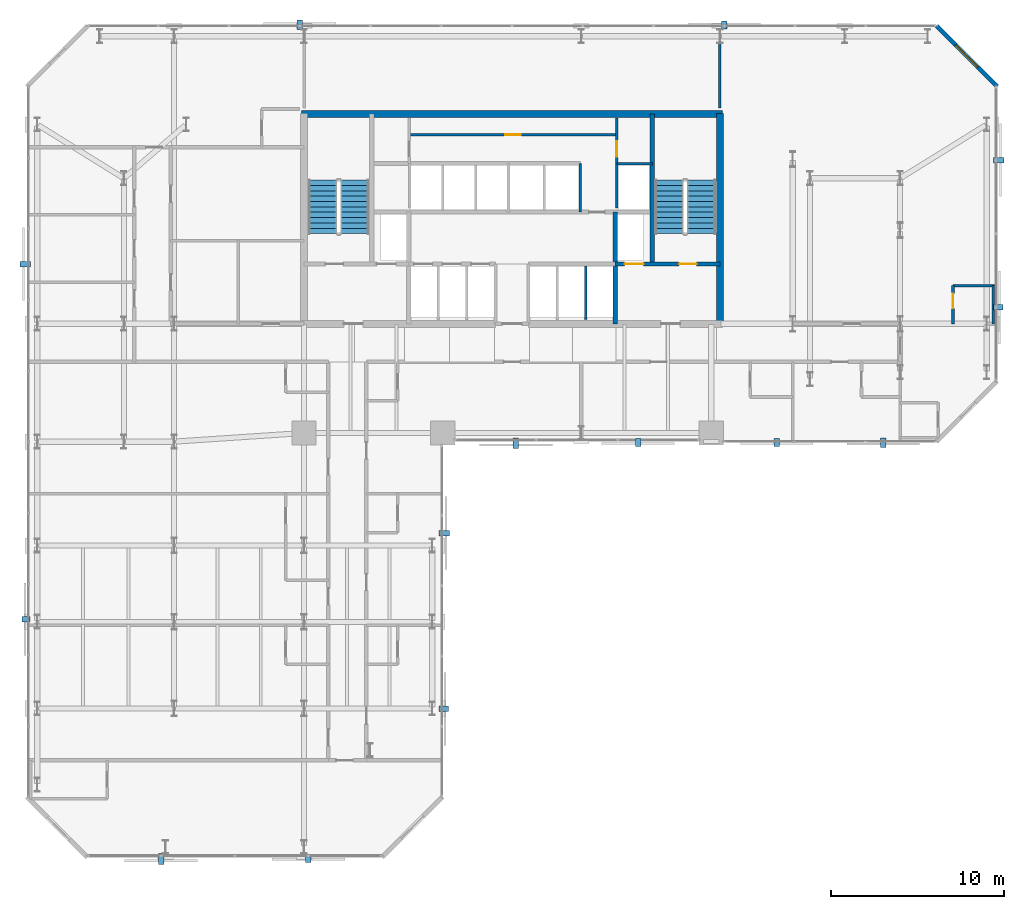
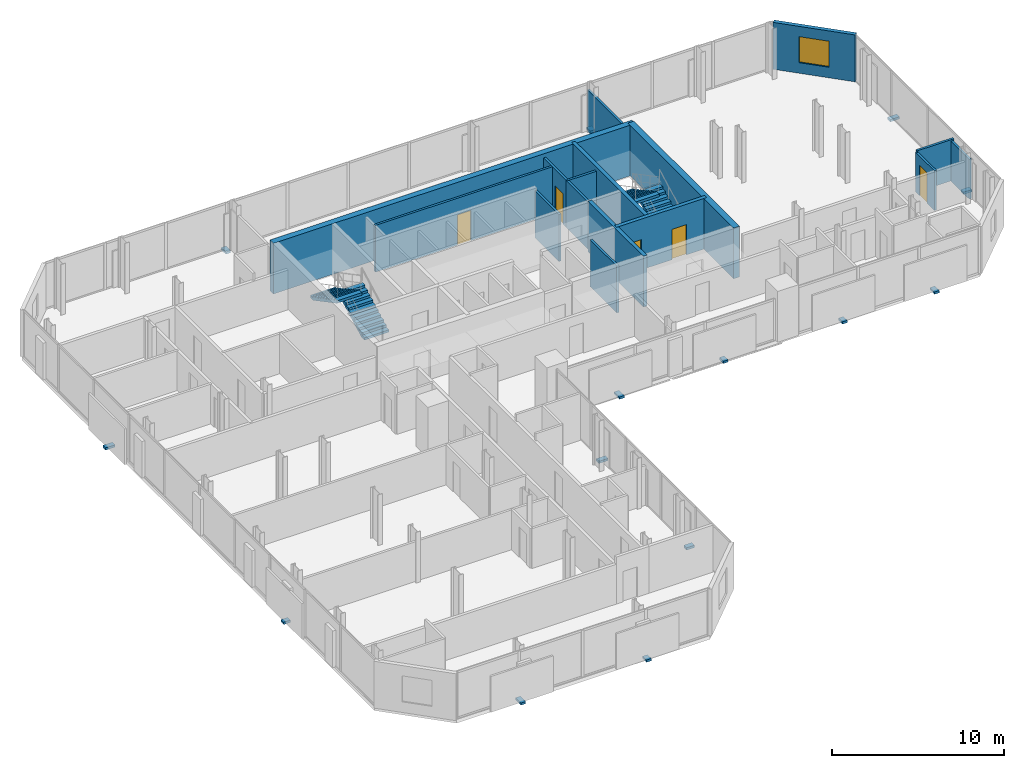
# One storey, part 31 of 33: 16 walls, 14 discrete accessories, 5 doors, 4 stair flights, 1 window, 6 openings, 2 elements without a shape of their own.
"""IFC4 building model written with IfcOpenShell, lengths in metres."""

from ifc_helpers import new_model, si_unit, direction, frame, frame_2d, origin, origin_2d, place, context, subcontext, project, spatial, polyline, rectangle, outline, extrude, material, layer, layer_set, type_object, element, fill, aggregate, save


model = new_model("IFC4")

# Units and contexts
model_context = context("Model", 3, precision=1e-05, world=origin(), true_north=direction((0.0, 1.0)))
body_context = subcontext(model_context, "Body", "Model", "MODEL_VIEW")
ifc_project = project(units=[si_unit("LENGTHUNIT", "METRE"), si_unit("AREAUNIT", "SQUARE_METRE"), si_unit("VOLUMEUNIT", "CUBIC_METRE"), si_unit("PLANEANGLEUNIT", "RADIAN"), si_unit("MASSUNIT", "GRAM", prefix="KILO")], contexts=[model_context])

# Site, building, storey
site_placement = place(None, origin())
site = spatial("IfcSite", under=ifc_project, at=site_placement, CompositionType="ELEMENT")
building_placement = place(site_placement, origin())
building = spatial("IfcBuilding", under=site, at=building_placement, Name="Catumbela Crestline Tower", CompositionType="ELEMENT")
storey_placement = place(building_placement, frame((0.0, 0.0, 43.8)))
storey = spatial("IfcBuildingStorey", under=building, at=storey_placement, Name="L10", CompositionType="ELEMENT", Elevation=43.8)

# Walls
ifc_material_1 = material(Name="Concrete C50/60", Category="concrete")
ifc_layer_1 = layer(ifc_material_1, 0.25, Name="Concrete C50/60")
ifc_layer_set_1 = layer_set([ifc_layer_1], Name="Concrete C50/60")
wall_type_1 = type_object("IfcWallType", Name="CW-250D", PredefinedType="SHEAR", material=ifc_layer_set_1)
wall_1_placement = place(storey_placement, frame((36.1, 34.25, 0.0), z_axis=(0.0, 0.0, 1.0), x_axis=(0.0, 1.0, 0.0)))
element("IfcWall", 1, at=wall_1_placement, inside=storey, type_object=wall_type_1, Name="L10 Structural Core Shear Wall EWEB", PredefinedType="SHEAR", context=body_context, shape_type="SweptSolid", body=[
    extrude(rectangle(XDim=8.65, YDim=0.25, at=frame_2d((4.325, 0.0))), origin(), (0.0, 0.0, 1.0), 3.6),
])
wall_2_placement = place(storey_placement, frame((33.95, 30.8, 0.0), z_axis=(0.0, 0.0, 1.0), x_axis=(0.0, 1.0, 0.0)))
element("IfcWall", 2, at=wall_2_placement, inside=storey, type_object=wall_type_1, Name="L10 Structural Core Shear Wall FFE", PredefinedType="SHEAR", context=body_context, shape_type="SweptSolid", body=[
    extrude(rectangle(XDim=6.45, YDim=0.25, at=frame_2d((3.225, 0.0))), origin(), (0.0, 0.0, 1.0), 3.6),
])

# Wall, openings, doors
wall_3_placement = place(storey_placement, frame((33.95, 34.25, 0.0), z_axis=(0.0, 0.0, 1.0), x_axis=(1.0, 0.0, 0.0)))
wall_3 = element("IfcWall", 3, at=wall_3_placement, inside=storey, type_object=wall_type_1, Name="L10 Structural Core Shear Wall ST2S", PredefinedType="SHEAR", context=body_context, shape_type="SweptSolid", body=[
    extrude(rectangle(XDim=6.05, YDim=0.25, at=frame_2d((3.025, 0.0))), origin(), (0.0, 0.0, 1.0), 3.6),
])
opening_1_placement = place(wall_3_placement, frame((3.7, 0.0, 0.0)))
opening_1 = element("IfcOpeningElement", 4, at=opening_1_placement, cuts=wall_3, Name="Opening DF9-100", PredefinedType="OPENING", context=body_context, shape_type="SweptSolid", body=[
    extrude(rectangle(XDim=1.0, YDim=2.15, at=frame_2d((0.5, 1.075))), frame((0.0, 0.135, 0.0), z_axis=(0.0, -1.0, 0.0), x_axis=(1.0, 0.0, 0.0)), (0.0, 0.0, 1.0), 0.27),
])
opening_2_placement = place(wall_3_placement, frame((0.55, 0.0, 0.0)))
opening_2 = element("IfcOpeningElement", 5, at=opening_2_placement, cuts=wall_3, Name="Opening LD-110", PredefinedType="OPENING", context=body_context, shape_type="SweptSolid", body=[
    extrude(rectangle(XDim=1.1, YDim=2.15, at=frame_2d((0.55, 1.075))), frame((0.0, 0.135, 0.0), z_axis=(0.0, -1.0, 0.0), x_axis=(1.0, 0.0, 0.0)), (0.0, 0.0, 1.0), 0.27),
])
ifc_material_2 = material(Name="Stainless steel EN 1.4401", Category="steel")
door_type_1 = type_object("IfcDoorType", Name="DF9-100", OperationType="NOTDEFINED", PredefinedType="DOOR", material=ifc_material_2)
door_1_placement = place(opening_1_placement, origin())
door_1 = element("IfcDoor", 6, at=door_1_placement, inside=storey, type_object=door_type_1, Name="L10 Interior Door DR-L10-ST02", OperationType="SINGLE_SWING_RIGHT", OverallHeight=2.15, OverallWidth=1.0, PredefinedType="DOOR", context=body_context, shape_type="SweptSolid", body=[
    extrude(rectangle(XDim=1.0, YDim=2.15, at=frame_2d((0.5, 1.075))), frame((0.0, 0.025, 0.0), z_axis=(0.0, -1.0, 0.0), x_axis=(1.0, 0.0, 0.0)), (0.0, 0.0, 1.0), 0.05),
])
fill(opening_1, door_1)
door_type_2 = type_object("IfcDoorType", Name="LD-110", OperationType="NOTDEFINED", PredefinedType="DOOR", material=ifc_material_2)
door_2_placement = place(opening_2_placement, origin())
door_2 = element("IfcDoor", 7, at=door_2_placement, inside=storey, type_object=door_type_2, Name="L10 Lift Landing Sliding Door FL-02", OperationType="DOUBLE_DOOR_SLIDING", OverallHeight=2.15, OverallWidth=1.1, PredefinedType="DOOR", context=body_context, shape_type="SweptSolid", body=[
    extrude(rectangle(XDim=1.1, YDim=2.15, at=frame_2d((0.55, 1.075))), frame((0.0, 0.025, 0.0), z_axis=(0.0, -1.0, 0.0), x_axis=(1.0, 0.0, 0.0)), (0.0, 0.0, 1.0), 0.05),
])
fill(opening_2, door_2)

# Walls
ifc_material_3 = material(Name="Concrete C60/75", Category="concrete")
ifc_layer_2 = layer(ifc_material_3, 0.4, Name="Concrete C60/75")
ifc_layer_set_2 = layer_set([ifc_layer_2], Name="Concrete C60/75")
wall_type_2 = type_object("IfcWallType", Name="CW-400A", PredefinedType="SHEAR", material=ifc_layer_set_2)
wall_4_placement = place(storey_placement, frame((40.0, 30.65, 0.0), z_axis=(0.0, 0.0, 1.0), x_axis=(0.0, 1.0, 0.0)))
element("IfcWall", 8, at=wall_4_placement, inside=storey, type_object=wall_type_2, Name="L10 Structural Core Shear Wall E", PredefinedType="SHEAR", context=body_context, shape_type="SweptSolid", body=[
    extrude(rectangle(XDim=12.3, YDim=0.4, at=frame_2d((6.15, 0.0))), origin(), (0.0, 0.0, 1.0), 3.6),
])
wall_5_placement = place(storey_placement, frame((15.85, 42.9, 0.0), z_axis=(0.0, 0.0, 1.0), x_axis=(1.0, 0.0, 0.0)))
element("IfcWall", 9, at=wall_5_placement, inside=storey, type_object=wall_type_2, Name="L10 Structural Core Shear Wall N", PredefinedType="SHEAR", context=body_context, shape_type="SweptSolid", body=[
    extrude(rectangle(XDim=24.3, YDim=0.4, at=frame_2d((12.15, 0.0))), origin(), (0.0, 0.0, 1.0), 3.6),
])

# Wall, opening, window
ifc_material_4 = material(Name="Angolan grey-ochre granite", Category="masonry")
ifc_layer_3 = layer(ifc_material_4, 0.25, Name="Angolan grey-ochre granite")
ifc_layer_set_3 = layer_set([ifc_layer_3], Name="Angolan grey-ochre granite")
wall_type_3 = type_object("IfcWallType", Name="WE-250", PredefinedType="STANDARD", material=ifc_layer_set_3)
wall_6_placement = place(storey_placement, frame((56.0, 44.5, 0.0), z_axis=(0.0, 0.0, 1.0), x_axis=(-0.707106781187, 0.707106781187, 0.0)))
wall_6 = element("IfcWall", 10, at=wall_6_placement, inside=storey, type_object=wall_type_3, Name="L10 Granite Punched Window Wall 6-1", PredefinedType="STANDARD", context=body_context, shape_type="SweptSolid", body=[
    extrude(rectangle(XDim=4.9497, YDim=0.25, at=frame_2d((2.4748, 0.0))), origin(), (0.0, 0.0, 1.0), 3.33),
])
opening_3_placement = place(wall_6_placement, frame((1.5749, 0.0, 0.75)))
opening_3 = element("IfcOpeningElement", 11, at=opening_3_placement, cuts=wall_6, Name="Opening WN-01", PredefinedType="OPENING", context=body_context, shape_type="SweptSolid", body=[
    extrude(rectangle(XDim=1.8, YDim=1.85, at=frame_2d((0.9, 0.925))), frame((0.0, 0.135, 0.0), z_axis=(0.0, -1.0, 0.0), x_axis=(1.0, 0.0, 0.0)), (0.0, 0.0, 1.0), 0.27),
])
ifc_material_5 = material(Name="Low-E laminated solar-control double glazing", Category="glass")
window_type = type_object("IfcWindowType", Name="WF-1800", PartitioningType="SINGLE_PANEL", PredefinedType="WINDOW", material=ifc_material_5)
window_placement = place(opening_3_placement, origin())
window = element("IfcWindow", 12, at=window_placement, inside=storey, type_object=window_type, Name="L10 Facade Vision Window 75", OverallHeight=1.85, OverallWidth=1.8, PartitioningType="SINGLE_PANEL", PredefinedType="WINDOW", context=body_context, shape_type="SweptSolid", body=[
    extrude(rectangle(XDim=1.8, YDim=1.85, at=frame_2d((0.9, 0.925))), frame((0.0, 0.03, 0.0), z_axis=(0.0, -1.0, 0.0), x_axis=(1.0, 0.0, 0.0)), (0.0, 0.0, 1.0), 0.06),
])
fill(opening_3, window)

# Wall
ifc_material_6 = material(Name="Acoustic gypsum and mineral-wool partition")
ifc_layer_4 = layer(ifc_material_6, 0.15, Name="Acoustic gypsum and mineral-wool partition")
ifc_layer_set_4 = layer_set([ifc_layer_4], Name="Acoustic gypsum and mineral-wool partition")
wall_type_4 = type_object("IfcWallType", Name="WP-150", PredefinedType="PARTITIONING", material=ifc_layer_set_4)
wall_7_placement = place(storey_placement, frame((34.05, 40.05, 0.0), z_axis=(0.0, 0.0, 1.0), x_axis=(1.0, 0.0, 0.0)))
element("IfcWall", 13, at=wall_7_placement, inside=storey, type_object=wall_type_4, Name="L10 Interior Partition PW-L10-CR-ES", PredefinedType="PARTITIONING", context=body_context, shape_type="SweptSolid", body=[
    extrude(rectangle(XDim=2.05, YDim=0.15, at=frame_2d((1.025, 0.0))), origin(), (0.0, 0.0, 1.0), 3.33),
])

# Wall, opening, door
wall_8_placement = place(storey_placement, frame((34.05, 40.05, 0.0), z_axis=(0.0, 0.0, 1.0), x_axis=(0.0, 1.0, 0.0)))
wall_8 = element("IfcWall", 14, at=wall_8_placement, inside=storey, type_object=wall_type_4, Name="L10 Interior Partition PW-L10-CR-EW", PredefinedType="PARTITIONING", context=body_context, shape_type="SweptSolid", body=[
    extrude(rectangle(XDim=2.63, YDim=0.15, at=frame_2d((1.315, 0.0))), origin(), (0.0, 0.0, 1.0), 3.33),
])
opening_4_placement = place(wall_8_placement, frame((0.385, 0.0, 0.0)))
opening_4 = element("IfcOpeningElement", 15, at=opening_4_placement, cuts=wall_8, Name="Opening DF9-090", PredefinedType="OPENING", context=body_context, shape_type="SweptSolid", body=[
    extrude(rectangle(XDim=0.9, YDim=2.15, at=frame_2d((0.45, 1.075))), frame((0.0, 0.085, 0.0), z_axis=(0.0, -1.0, 0.0), x_axis=(1.0, 0.0, 0.0)), (0.0, 0.0, 1.0), 0.17),
])
door_type_3 = type_object("IfcDoorType", Name="DF9-090", OperationType="NOTDEFINED", PredefinedType="DOOR", material=ifc_material_2)
door_3_placement = place(opening_4_placement, origin())
door_3 = element("IfcDoor", 16, at=door_3_placement, inside=storey, type_object=door_type_3, Name="L10 Interior Door DR-L10-CREAST", OperationType="SINGLE_SWING_RIGHT", OverallHeight=2.15, OverallWidth=0.9, PredefinedType="DOOR", context=body_context, shape_type="SweptSolid", body=[
    extrude(rectangle(XDim=0.9, YDim=2.15, at=frame_2d((0.45, 1.075))), frame((0.0, 0.025, 0.0), z_axis=(0.0, -1.0, 0.0), x_axis=(1.0, 0.0, 0.0)), (0.0, 0.0, 1.0), 0.05),
])
fill(opening_4, door_3)

wall_9_placement = place(storey_placement, frame((22.08, 41.72, 0.0), z_axis=(0.0, 0.0, 1.0), x_axis=(1.0, 0.0, 0.0)))
wall_9 = element("IfcWall", 17, at=wall_9_placement, inside=storey, type_object=wall_type_4, Name="L10 Interior Partition PW-L10-CR-MID", PredefinedType="PARTITIONING", context=body_context, shape_type="SweptSolid", body=[
    extrude(rectangle(XDim=11.97, YDim=0.15, at=frame_2d((5.985, 0.0))), origin(), (0.0, 0.0, 1.0), 3.33),
])
opening_5_placement = place(wall_9_placement, frame((5.535, 0.0, 0.0)))
opening_5 = element("IfcOpeningElement", 18, at=opening_5_placement, cuts=wall_9, Name="Opening DF9-090", PredefinedType="OPENING", context=body_context, shape_type="SweptSolid", body=[
    extrude(rectangle(XDim=0.9, YDim=2.15, at=frame_2d((0.45, 1.075))), frame((0.0, 0.085, 0.0), z_axis=(0.0, -1.0, 0.0), x_axis=(1.0, 0.0, 0.0)), (0.0, 0.0, 1.0), 0.17),
])
door_4_placement = place(opening_5_placement, origin())
door_4 = element("IfcDoor", 19, at=door_4_placement, inside=storey, type_object=door_type_3, Name="L10 Interior Door DR-L10-CRMID", OperationType="SINGLE_SWING_LEFT", OverallHeight=2.15, OverallWidth=0.9, PredefinedType="DOOR", context=body_context, shape_type="SweptSolid", body=[
    extrude(rectangle(XDim=0.9, YDim=2.15, at=frame_2d((0.45, 1.075))), frame((0.0, 0.025, 0.0), z_axis=(0.0, -1.0, 0.0), x_axis=(1.0, 0.0, 0.0)), (0.0, 0.0, 1.0), 0.05),
])
fill(opening_5, door_4)

# Walls
wall_10_placement = place(storey_placement, frame((40.0, 43.27, 0.0), z_axis=(0.0, 0.0, 1.0), x_axis=(0.0, 1.0, 0.0)))
element("IfcWall", 20, at=wall_10_placement, inside=storey, type_object=wall_type_4, Name="L10 Interior Partition PW-L10-NCF-E", PredefinedType="PARTITIONING", context=body_context, shape_type="SweptSolid", body=[
    extrude(rectangle(XDim=4.63, YDim=0.15, at=frame_2d((2.315, 0.0))), origin(), (0.0, 0.0, 1.0), 2.93),
])
wall_11_placement = place(storey_placement, frame((53.45, 33.0, 0.0), z_axis=(0.0, 0.0, 1.0), x_axis=(1.0, 0.0, 0.0)))
element("IfcWall", 21, at=wall_11_placement, inside=storey, type_object=wall_type_4, Name="L10 Interior Partition PW-L10-NES-BHW", PredefinedType="PARTITIONING", context=body_context, shape_type="SweptSolid", body=[
    extrude(rectangle(XDim=2.45, YDim=0.15, at=frame_2d((1.225, 0.0))), origin(), (0.0, 0.0, 1.0), 2.93),
])

# Wall, opening, door
wall_12_placement = place(storey_placement, frame((53.45, 30.8, 0.0), z_axis=(0.0, 0.0, 1.0), x_axis=(0.0, 1.0, 0.0)))
wall_12 = element("IfcWall", 22, at=wall_12_placement, inside=storey, type_object=wall_type_4, Name="L10 Interior Partition PW-L10-NES-BWW", PredefinedType="PARTITIONING", context=body_context, shape_type="SweptSolid", body=[
    extrude(rectangle(XDim=2.2, YDim=0.15, at=frame_2d((1.1, 0.0))), origin(), (0.0, 0.0, 1.0), 2.82),
])
opening_6_placement = place(wall_12_placement, frame((0.8925, 0.0, 0.0)))
opening_6 = element("IfcOpeningElement", 23, at=opening_6_placement, cuts=wall_12, Name="Opening DI-085", PredefinedType="OPENING", context=body_context, shape_type="SweptSolid", body=[
    extrude(rectangle(XDim=0.85, YDim=2.15, at=frame_2d((0.425, 1.075))), frame((0.0, 0.085, 0.0), z_axis=(0.0, -1.0, 0.0), x_axis=(1.0, 0.0, 0.0)), (0.0, 0.0, 1.0), 0.17),
])
ifc_material_7 = material(Name="Aluminium alloy AW-6060-T66", Category="aluminium")
door_type_4 = type_object("IfcDoorType", Name="DI-085", OperationType="NOTDEFINED", PredefinedType="DOOR", material=ifc_material_7)
door_5_placement = place(opening_6_placement, origin())
door_5 = element("IfcDoor", 24, at=door_5_placement, inside=storey, type_object=door_type_4, Name="L10 Interior Door DR-L10-NES-BTH", OperationType="SINGLE_SWING_RIGHT", OverallHeight=2.15, OverallWidth=0.85, PredefinedType="DOOR", context=body_context, shape_type="SweptSolid", body=[
    extrude(rectangle(XDim=0.85, YDim=2.15, at=frame_2d((0.425, 1.075))), frame((0.0, 0.025, 0.0), z_axis=(0.0, -1.0, 0.0), x_axis=(1.0, 0.0, 0.0)), (0.0, 0.0, 1.0), 0.05),
])
fill(opening_6, door_5)

# Walls
wall_13_placement = place(storey_placement, frame((55.78, 33.0, 0.0), z_axis=(0.0, 0.0, 1.0), x_axis=(0.0, -1.0, 0.0)))
element("IfcWall", 25, at=wall_13_placement, inside=storey, type_object=wall_type_4, Name="L10 Interior Partition PW-L10-NES-BCL-2", PredefinedType="PARTITIONING", context=body_context, shape_type="SweptSolid", body=[
    extrude(rectangle(XDim=2.2, YDim=0.15, at=frame_2d((1.1, 0.0))), origin(), (0.0, 0.0, 1.0), 2.82),
])
ifc_layer_5 = layer(ifc_material_6, 0.15, Name="Acoustic gypsum and mineral-wool partition")
ifc_layer_set_5 = layer_set([ifc_layer_5], Name="Acoustic gypsum and mineral-wool partition")
wall_type_5 = type_object("IfcWallType", Name="WS-150", PredefinedType="PLUMBINGWALL", material=ifc_layer_set_5)
wall_14_placement = place(storey_placement, frame((32.25, 31.05, 0.0), z_axis=(0.0, 0.0, 1.0), x_axis=(0.0, 1.0, 0.0)))
element("IfcWall", 26, at=wall_14_placement, inside=storey, type_object=wall_type_5, Name="L10 Interior Partition PW-L10-SHM2", PredefinedType="PLUMBINGWALL", context=body_context, shape_type="SweptSolid", body=[
    extrude(rectangle(XDim=3.1, YDim=0.15, at=frame_2d((1.55, 0.0))), origin(), (0.0, 0.0, 1.0), 3.33),
])
wall_15_placement = place(storey_placement, frame((31.95, 37.25, 0.0), z_axis=(0.0, 0.0, 1.0), x_axis=(0.0, 1.0, 0.0)))
element("IfcWall", 27, at=wall_15_placement, inside=storey, type_object=wall_type_5, Name="L10 Interior Partition PW-L10-SHEX2E", PredefinedType="PLUMBINGWALL", context=body_context, shape_type="SweptSolid", body=[
    extrude(rectangle(XDim=2.8, YDim=0.15, at=frame_2d((1.4, 0.0))), origin(), (0.0, 0.0, 1.0), 3.33),
])
wall_16_placement = place(storey_placement, frame((34.05, 37.4734, 0.0), z_axis=(0.0, 0.0, 1.0), x_axis=(0.0, 1.0, 0.0)))
element("IfcWall", 28, at=wall_16_placement, inside=storey, type_object=wall_type_5, Name="L10 Interior Partition PW-L10-RISW", PredefinedType="PLUMBINGWALL", context=body_context, shape_type="SweptSolid", body=[
    extrude(rectangle(XDim=2.5766, YDim=0.15, at=frame_2d((1.2883, 0.0))), origin(), (0.0, 0.0, 1.0), 3.33),
])

# Stair, stair flights
ifc_material_8 = material(Name="Concrete C45/55", Category="concrete")
stair_type = type_object("IfcStairType", Name="ST-DLG", PredefinedType="HALF_TURN_STAIR", material=ifc_material_8)
stair_1_placement = place(storey_placement, origin())
stair_1 = element("IfcStair", 29, at=stair_1_placement, inside=storey, type_object=stair_type, Name="L10 West Core Pressurised Exit Stair ST-01", PredefinedType="HALF_TURN_STAIR")
stair_flight_type = type_object("IfcStairFlightType", Name="SF-1636", PredefinedType="STRAIGHT", material=ifc_material_8)
stair_flight_1_placement = place(storey_placement, frame((18.92, 36.0, 0.0), z_axis=(0.0, 0.0, 1.0), x_axis=(0.0, 1.0, 0.0)))
stair_flight_1 = element("IfcStairFlight", 30, at=stair_flight_1_placement, type_object=stair_flight_type, Name="ST-01 flight 1", NumberOfRisers=11, NumberOfTreads=10, PredefinedType="STRAIGHT", RiserHeight=0.163636364, TreadLength=0.31, context=body_context, shape_type="SweptSolid", body=[
    extrude(outline(polyline([(0.0, 0.0), (0.0, 0.1636), (0.31, 0.1636), (0.31, 0.3273), (0.62, 0.3273), (0.62, 0.4909), (0.93, 0.4909), (0.93, 0.6545), (1.24, 0.6545), (1.24, 0.8182), (1.55, 0.8182), (1.55, 0.9818), (1.86, 0.9818), (1.86, 1.1455), (2.17, 1.1455), (2.17, 1.3091), (2.48, 1.3091), (2.48, 1.4727), (2.79, 1.4727), (2.79, 1.6364), (3.1, 1.6364), (3.1, 1.8), (3.1, 1.4554), (0.3427, 0.0), (0.0, 0.0)])), frame((0.0, 0.83, 0.0), z_axis=(0.0, -1.0, 0.0), x_axis=(1.0, 0.0, 0.0)), (0.0, 0.0, 1.0), 1.66),
])
stair_flight_2_placement = place(storey_placement, frame((17.08, 39.1, 1.8), z_axis=(0.0, 0.0, 1.0), x_axis=(0.0, -1.0, 0.0)))
stair_flight_2 = element("IfcStairFlight", 31, at=stair_flight_2_placement, type_object=stair_flight_type, Name="ST-01 flight 2", NumberOfRisers=11, NumberOfTreads=10, PredefinedType="STRAIGHT", RiserHeight=0.163636364, TreadLength=0.31, context=body_context, shape_type="SweptSolid", body=[
    extrude(outline(polyline([(0.0, 0.0), (0.0, 0.1636), (0.31, 0.1636), (0.31, 0.3273), (0.62, 0.3273), (0.62, 0.4909), (0.93, 0.4909), (0.93, 0.6545), (1.24, 0.6545), (1.24, 0.8182), (1.55, 0.8182), (1.55, 0.9818), (1.86, 0.9818), (1.86, 1.1455), (2.17, 1.1455), (2.17, 1.3091), (2.48, 1.3091), (2.48, 1.4727), (2.79, 1.4727), (2.79, 1.6364), (3.1, 1.6364), (3.1, 1.8), (3.1, 1.4554), (0.3427, 0.0), (0.0, 0.0)])), frame((0.0, 0.83, 0.0), z_axis=(0.0, -1.0, 0.0), x_axis=(1.0, 0.0, 0.0)), (0.0, 0.0, 1.0), 1.66),
])
aggregate(stair_1, [stair_flight_1, stair_flight_2])

stair_2_placement = place(storey_placement, origin())
stair_2 = element("IfcStair", 32, at=stair_2_placement, inside=storey, type_object=stair_type, Name="L10 East Core Pressurised Exit Stair ST-02", PredefinedType="HALF_TURN_STAIR")
stair_flight_3_placement = place(storey_placement, frame((38.92, 36.0, 0.0), z_axis=(0.0, 0.0, 1.0), x_axis=(0.0, 1.0, 0.0)))
stair_flight_3 = element("IfcStairFlight", 33, at=stair_flight_3_placement, type_object=stair_flight_type, Name="ST-02 flight 1", NumberOfRisers=11, NumberOfTreads=10, PredefinedType="STRAIGHT", RiserHeight=0.163636364, TreadLength=0.31, context=body_context, shape_type="SweptSolid", body=[
    extrude(outline(polyline([(0.0, 0.0), (0.0, 0.1636), (0.31, 0.1636), (0.31, 0.3273), (0.62, 0.3273), (0.62, 0.4909), (0.93, 0.4909), (0.93, 0.6545), (1.24, 0.6545), (1.24, 0.8182), (1.55, 0.8182), (1.55, 0.9818), (1.86, 0.9818), (1.86, 1.1455), (2.17, 1.1455), (2.17, 1.3091), (2.48, 1.3091), (2.48, 1.4727), (2.79, 1.4727), (2.79, 1.6364), (3.1, 1.6364), (3.1, 1.8), (3.1, 1.4554), (0.3427, 0.0), (0.0, 0.0)])), frame((0.0, 0.83, 0.0), z_axis=(0.0, -1.0, 0.0), x_axis=(1.0, 0.0, 0.0)), (0.0, 0.0, 1.0), 1.66),
])
stair_flight_4_placement = place(storey_placement, frame((37.08, 39.1, 1.8), z_axis=(0.0, 0.0, 1.0), x_axis=(0.0, -1.0, 0.0)))
stair_flight_4 = element("IfcStairFlight", 34, at=stair_flight_4_placement, type_object=stair_flight_type, Name="ST-02 flight 2", NumberOfRisers=11, NumberOfTreads=10, PredefinedType="STRAIGHT", RiserHeight=0.163636364, TreadLength=0.31, context=body_context, shape_type="SweptSolid", body=[
    extrude(outline(polyline([(0.0, 0.0), (0.0, 0.1636), (0.31, 0.1636), (0.31, 0.3273), (0.62, 0.3273), (0.62, 0.4909), (0.93, 0.4909), (0.93, 0.6545), (1.24, 0.6545), (1.24, 0.8182), (1.55, 0.8182), (1.55, 0.9818), (1.86, 0.9818), (1.86, 1.1455), (2.17, 1.1455), (2.17, 1.3091), (2.48, 1.3091), (2.48, 1.4727), (2.79, 1.4727), (2.79, 1.6364), (3.1, 1.6364), (3.1, 1.8), (3.1, 1.4554), (0.3427, 0.0), (0.0, 0.0)])), frame((0.0, 0.83, 0.0), z_axis=(0.0, -1.0, 0.0), x_axis=(1.0, 0.0, 0.0)), (0.0, 0.0, 1.0), 1.66),
])
aggregate(stair_2, [stair_flight_3, stair_flight_4])

# Discrete accessories
discrete_accessory_type = type_object("IfcDiscreteAccessoryType", Name="BK-SS1", PredefinedType="BRACKET", material=ifc_material_2)
discrete_accessory_1_placement = place(storey_placement, frame((7.75, -0.085, -0.18), z_axis=(0.0, 0.0, 1.0), x_axis=(1.0, 0.0, 0.0)))
element("IfcDiscreteAccessory", 35, at=discrete_accessory_1_placement, inside=storey, type_object=discrete_accessory_type, Name="L10 Solar Screen Stainless Bracket 71", PredefinedType="BRACKET", context=body_context, shape_type="SweptSolid", body=[
    extrude(rectangle(XDim=0.32, YDim=0.62, at=origin_2d()), origin(), (0.0, 0.0, 1.0), 0.16),
])
discrete_accessory_2_placement = place(storey_placement, frame((16.25, -0.045, -0.18), z_axis=(0.0, 0.0, 1.0), x_axis=(1.0, 0.0, 0.0)))
element("IfcDiscreteAccessory", 36, at=discrete_accessory_2_placement, inside=storey, type_object=discrete_accessory_type, Name="L10 Solar Screen Stainless Bracket 72", PredefinedType="BRACKET", context=body_context, shape_type="SweptSolid", body=[
    extrude(rectangle(XDim=0.32, YDim=0.46, at=origin_2d()), origin(), (0.0, 0.0, 1.0), 0.16),
])
discrete_accessory_3_placement = place(storey_placement, frame((24.065, 8.575, -0.18), z_axis=(0.0, 0.0, 1.0), x_axis=(0.0, 1.0, 0.0)))
element("IfcDiscreteAccessory", 37, at=discrete_accessory_3_placement, inside=storey, type_object=discrete_accessory_type, Name="L10 Solar Screen Stainless Bracket 73", PredefinedType="BRACKET", context=body_context, shape_type="SweptSolid", body=[
    extrude(rectangle(XDim=0.32, YDim=0.54, at=origin_2d()), origin(), (0.0, 0.0, 1.0), 0.16),
])
for number, where, z_axis, x_axis, name in (
    (38, (24.085, 18.725, -0.18), (0.0, 0.0, 1.0), (0.0, 1.0, 0.0), "L10 Solar Screen Stainless Bracket 74"),
    (39, (28.225, 23.915, -0.18), (0.0, 0.0, 1.0), (1.0, 0.0, 0.0), "L10 Solar Screen Stainless Bracket 75"),
):
    element("IfcDiscreteAccessory", number, at=place(storey_placement, frame(where, z_axis=z_axis, x_axis=x_axis)), inside=storey, type_object=discrete_accessory_type, Name=name, PredefinedType="BRACKET", context=body_context, shape_type="SweptSolid", body=[
        extrude(rectangle(XDim=0.32, YDim=0.62, at=origin_2d()), origin(), (0.0, 0.0, 1.0), 0.16),
    ])
for number, where, z_axis, x_axis, name in (
    (40, (35.275, 23.955, -0.18), (0.0, 0.0, 1.0), (1.0, 0.0, 0.0), "L10 Solar Screen Stainless Bracket 76"),
    (41, (43.275, 23.955, -0.18), (0.0, 0.0, 1.0), (1.0, 0.0, 0.0), "L10 Solar Screen Stainless Bracket 77"),
):
    element("IfcDiscreteAccessory", number, at=place(storey_placement, frame(where, z_axis=z_axis, x_axis=x_axis)), inside=storey, type_object=discrete_accessory_type, Name=name, PredefinedType="BRACKET", context=body_context, shape_type="SweptSolid", body=[
        extrude(rectangle(XDim=0.32, YDim=0.46, at=origin_2d()), origin(), (0.0, 0.0, 1.0), 0.16),
    ])
for number, where, z_axis, x_axis, name in (
    (42, (49.425, 23.935, -0.18), (0.0, 0.0, 1.0), (1.0, 0.0, 0.0), "L10 Solar Screen Stainless Bracket 78"),
    (43, (56.065, 31.75, -0.18), (0.0, 0.0, 1.0), (0.0, 1.0, 0.0), "L10 Solar Screen Stainless Bracket 79"),
):
    element("IfcDiscreteAccessory", number, at=place(storey_placement, frame(where, z_axis=z_axis, x_axis=x_axis)), inside=storey, type_object=discrete_accessory_type, Name=name, PredefinedType="BRACKET", context=body_context, shape_type="SweptSolid", body=[
        extrude(rectangle(XDim=0.32, YDim=0.54, at=origin_2d()), origin(), (0.0, 0.0, 1.0), 0.16),
    ])
discrete_accessory_4_placement = place(storey_placement, frame((56.085, 40.25, -0.18), z_axis=(0.0, 0.0, 1.0), x_axis=(0.0, 1.0, 0.0)))
element("IfcDiscreteAccessory", 44, at=discrete_accessory_4_placement, inside=storey, type_object=discrete_accessory_type, Name="L10 Solar Screen Stainless Bracket 80", PredefinedType="BRACKET", context=body_context, shape_type="SweptSolid", body=[
    extrude(rectangle(XDim=0.32, YDim=0.62, at=origin_2d()), origin(), (0.0, 0.0, 1.0), 0.16),
])
discrete_accessory_5_placement = place(storey_placement, frame((40.25, 48.045, -0.18), z_axis=(0.0, 0.0, 1.0), x_axis=(-1.0, 0.0, 0.0)))
element("IfcDiscreteAccessory", 45, at=discrete_accessory_5_placement, inside=storey, type_object=discrete_accessory_type, Name="L10 Solar Screen Stainless Bracket 81", PredefinedType="BRACKET", context=body_context, shape_type="SweptSolid", body=[
    extrude(rectangle(XDim=0.32, YDim=0.46, at=origin_2d()), origin(), (0.0, 0.0, 1.0), 0.16),
])
discrete_accessory_6_placement = place(storey_placement, frame((15.75, 48.065, -0.18), z_axis=(0.0, 0.0, 1.0), x_axis=(-1.0, 0.0, 0.0)))
element("IfcDiscreteAccessory", 46, at=discrete_accessory_6_placement, inside=storey, type_object=discrete_accessory_type, Name="L10 Solar Screen Stainless Bracket 82", PredefinedType="BRACKET", context=body_context, shape_type="SweptSolid", body=[
    extrude(rectangle(XDim=0.32, YDim=0.54, at=origin_2d()), origin(), (0.0, 0.0, 1.0), 0.16),
])
discrete_accessory_7_placement = place(storey_placement, frame((-0.085, 34.25, -0.18), z_axis=(0.0, 0.0, 1.0), x_axis=(0.0, -1.0, 0.0)))
element("IfcDiscreteAccessory", 47, at=discrete_accessory_7_placement, inside=storey, type_object=discrete_accessory_type, Name="L10 Solar Screen Stainless Bracket 83", PredefinedType="BRACKET", context=body_context, shape_type="SweptSolid", body=[
    extrude(rectangle(XDim=0.32, YDim=0.62, at=origin_2d()), origin(), (0.0, 0.0, 1.0), 0.16),
])
discrete_accessory_8_placement = place(storey_placement, frame((-0.045, 13.75, -0.18), z_axis=(0.0, 0.0, 1.0), x_axis=(0.0, -1.0, 0.0)))
element("IfcDiscreteAccessory", 48, at=discrete_accessory_8_placement, inside=storey, type_object=discrete_accessory_type, Name="L10 Solar Screen Stainless Bracket 84", PredefinedType="BRACKET", context=body_context, shape_type="SweptSolid", body=[
    extrude(rectangle(XDim=0.32, YDim=0.46, at=origin_2d()), origin(), (0.0, 0.0, 1.0), 0.16),
])

save(model, "model.ifc")
